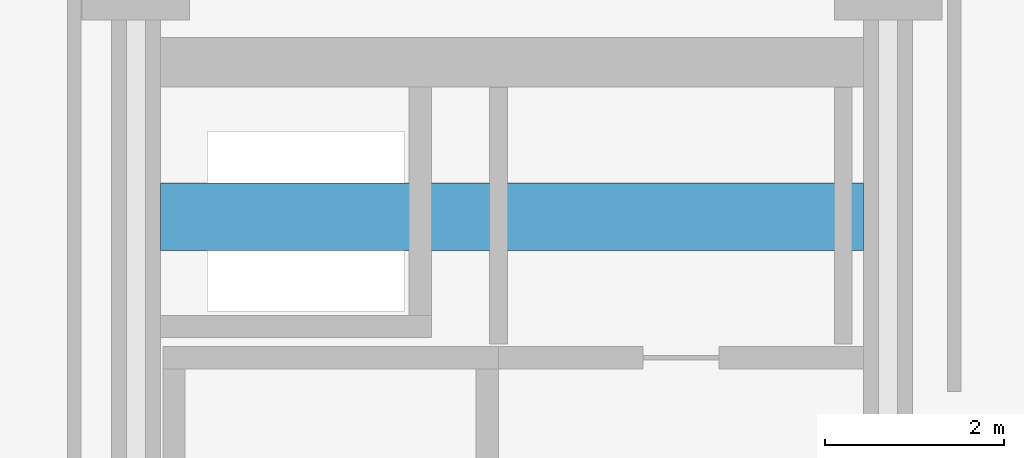
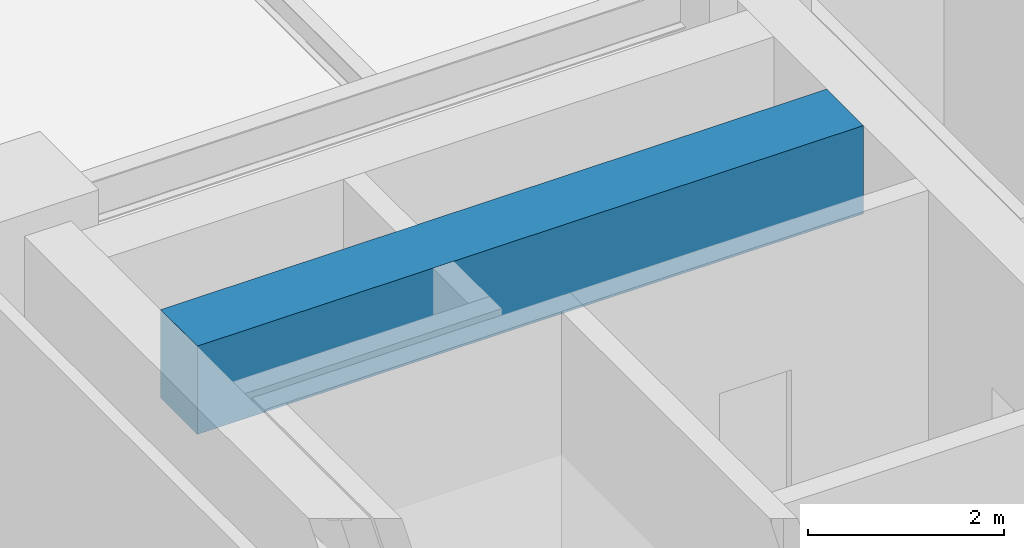
# One storey, part 17 of 30: 1 beam.
"""IFC4 building model written with IfcOpenShell, lengths in metres."""

from ifc_helpers import new_model, si_unit, direction, frame, origin, origin_2d, place, context, subcontext, project, spatial, rectangle, extrude, material, material_profile, profile_set, type_object, element, save


model = new_model("IFC4")

# Units and contexts
model_context = context("Model", 3, precision=1e-05, world=origin(), true_north=direction((0.0, 1.0)))
body_context = subcontext(model_context, "Body", "Model", "MODEL_VIEW")
ifc_project = project(units=[si_unit("LENGTHUNIT", "METRE"), si_unit("AREAUNIT", "SQUARE_METRE"), si_unit("VOLUMEUNIT", "CUBIC_METRE"), si_unit("PLANEANGLEUNIT", "RADIAN"), si_unit("MASSUNIT", "GRAM", prefix="KILO")], contexts=[model_context])

# Site, building, storey
site_placement = place(None, origin())
site = spatial("IfcSite", under=ifc_project, at=site_placement, CompositionType="ELEMENT")
building_placement = place(site_placement, origin())
building = spatial("IfcBuilding", under=site, at=building_placement, Name="Nerrivon Quay Data Exchange", CompositionType="ELEMENT")
storey_placement = place(building_placement, frame((0.0, 0.0, 154.10009765625)))
storey = spatial("IfcBuildingStorey", under=building, at=storey_placement, Name="L36", CompositionType="ELEMENT", Elevation=154.10009765625)

# Beam
ifc_material = material(Name="Concrete S65 (65 MPa)", Category="concrete")
ifc_material_profile = material_profile(ifc_material, rectangle(XDim=0.75, YDim=1.10009765625, at=origin_2d()), Name="RC-CB-750x1100")
ifc_profile_set = profile_set([ifc_material_profile], Name="Concrete S65 (65 MPa)")
beam_type = type_object("IfcBeamType", Name="BM-CB1-750x1100", PredefinedType="LINTEL", material=ifc_profile_set)
beam_placement = place(storey_placement, frame((8.675048828125, 39.199951171875, 3.27490234375), z_axis=(1.0, 0.0, 0.0), x_axis=(0.0, 1.0, 0.0)))
element("IfcBeam", 1, at=beam_placement, inside=storey, type_object=beam_type, Name="L36 West Core Coupling Beam", PredefinedType="LINTEL", context=body_context, shape_type="SweptSolid", body=[
    extrude(rectangle(XDim=0.75, YDim=1.10009765625, at=origin_2d()), origin(), (0.0, 0.0, 1.0), 7.849853515625),
])

save(model, "model.ifc")
